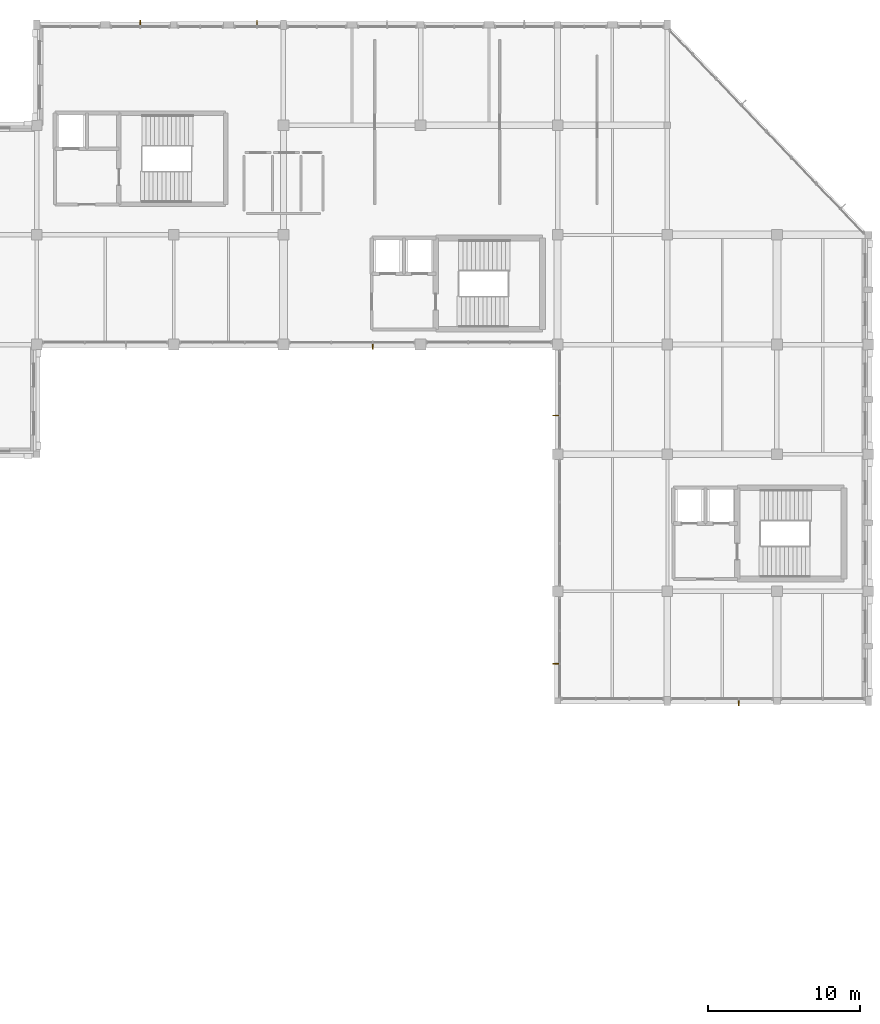
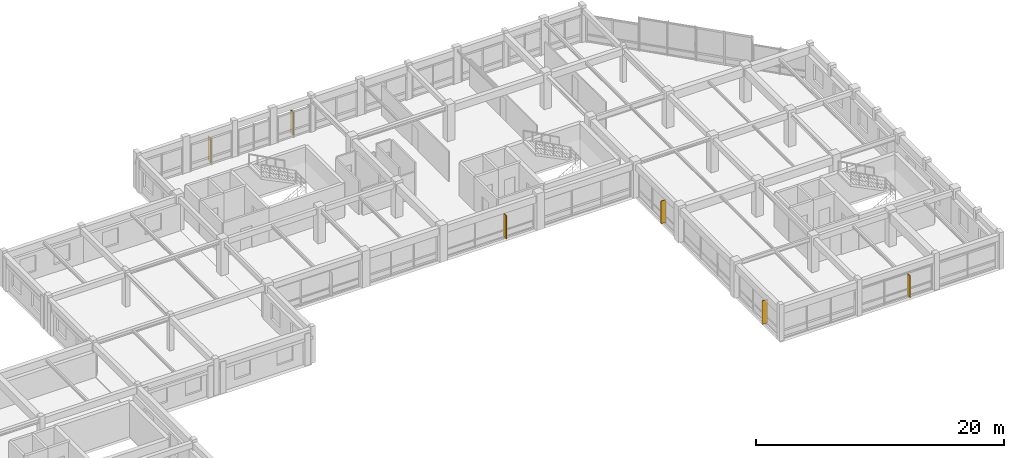
# One storey, part 51 of 52: 6 shading devices.
"""IFC4 building model written with IfcOpenShell, lengths in metres."""

from ifc_helpers import new_model, si_unit, direction, frame, frame_2d, origin, place, context, subcontext, project, spatial, rectangle, extrude, material, layer, layer_set, type_object, element, save


model = new_model("IFC4")

# Units and contexts
model_context = context("Model", 3, precision=1e-05, world=origin(), true_north=direction((0.0, 1.0)))
body_context = subcontext(model_context, "Body", "Model", "MODEL_VIEW")
ifc_project = project(units=[si_unit("LENGTHUNIT", "METRE"), si_unit("AREAUNIT", "SQUARE_METRE"), si_unit("VOLUMEUNIT", "CUBIC_METRE"), si_unit("PLANEANGLEUNIT", "RADIAN"), si_unit("MASSUNIT", "GRAM", prefix="KILO")], contexts=[model_context])

# Site, building, storey
site_placement = place(None, origin())
site = spatial("IfcSite", under=ifc_project, at=site_placement, CompositionType="ELEMENT")
building_placement = place(site_placement, origin())
building = spatial("IfcBuilding", under=site, at=building_placement, Name="Clarverna Civic Hall", CompositionType="ELEMENT")
storey_placement = place(building_placement, frame((0.0, 0.0, 16.800048828125)))
storey = spatial("IfcBuildingStorey", under=building, at=storey_placement, Name="L04", CompositionType="ELEMENT", Elevation=16.800048828125)

# Shading devices
ifc_material = material(Name="Anodised Bronze Architectural Solar Fin", Category="aluminium")
ifc_layer = layer(ifc_material, 0.054931640625)
ifc_layer_set = layer_set([ifc_layer], Name="Anodised Bronze Architectural Solar Fin")
shading_device_type = type_object("IfcShadingDeviceType", Name="SD-FN1", PredefinedType="USERDEFINED", material=ifc_layer_set)
shading_device_1_placement = place(storey_placement, frame((120.199951171875, 115.830078125, 0.14990234375), z_axis=(0.0, 0.0, 1.0), x_axis=(0.0, 1.0, 0.0)))
element("IfcShadingDevice", 1, at=shading_device_1_placement, inside=storey, type_object=shading_device_type, Name="SD-FN1-049", ObjectType="FIN", PredefinedType="USERDEFINED", context=body_context, shape_type="SweptSolid", body=[
    extrude(rectangle(XDim=0.47998046875, YDim=0.054931640625, at=frame_2d((0.239990234375, 0.0))), origin(), (0.0, 0.0, 1.0), 2.400146484375),
])
shading_device_2_placement = place(storey_placement, frame((127.862548828125, 115.830078125, 0.14990234375), z_axis=(0.0, 0.0, 1.0), x_axis=(0.0, 1.0, 0.0)))
element("IfcShadingDevice", 2, at=shading_device_2_placement, inside=storey, type_object=shading_device_type, Name="SD-FN1-050", ObjectType="FIN", PredefinedType="USERDEFINED", context=body_context, shape_type="SweptSolid", body=[
    extrude(rectangle(XDim=0.47998046875, YDim=0.054931640625, at=frame_2d((0.239990234375, 0.0))), origin(), (0.0, 0.0, 1.0), 2.300048828125),
])
shading_device_3_placement = place(storey_placement, frame((159.4921875, 71.77001953125, 0.14990234375), z_axis=(0.0, 0.0, 1.0), x_axis=(0.0, -1.0, 0.0)))
element("IfcShadingDevice", 3, at=shading_device_3_placement, inside=storey, type_object=shading_device_type, Name="SD-FN1-056", ObjectType="FIN", PredefinedType="USERDEFINED", context=body_context, shape_type="SweptSolid", body=[
    extrude(rectangle(XDim=0.47998046875, YDim=0.054931640625, at=frame_2d((0.239990234375, 0.0))), origin(), (0.0, 0.0, 1.0), 2.1201171875),
])
shading_device_4_placement = place(storey_placement, frame((147.77001953125, 74.041015625, 0.14990234375), z_axis=(0.0, 0.0, 1.0), x_axis=(-1.0, 0.0, 0.0)))
element("IfcShadingDevice", 4, at=shading_device_4_placement, inside=storey, type_object=shading_device_type, Name="SD-FN1-057", ObjectType="FIN", PredefinedType="USERDEFINED", context=body_context, shape_type="SweptSolid", body=[
    extrude(rectangle(XDim=0.47998046875, YDim=0.054931640625, at=frame_2d((0.239990234375, 0.0))), origin(), (0.0, 0.0, 1.0), 2.300048828125),
])
shading_device_5_placement = place(storey_placement, frame((147.77001953125, 90.341064453125, 0.14990234375), z_axis=(0.0, 0.0, 1.0), x_axis=(-1.0, 0.0, 0.0)))
element("IfcShadingDevice", 5, at=shading_device_5_placement, inside=storey, type_object=shading_device_type, Name="SD-FN1-058", ObjectType="FIN", PredefinedType="USERDEFINED", context=body_context, shape_type="SweptSolid", body=[
    extrude(rectangle(XDim=0.47998046875, YDim=0.054931640625, at=frame_2d((0.239990234375, 0.0))), origin(), (0.0, 0.0, 1.0), 2.219970703125),
])
shading_device_6_placement = place(storey_placement, frame((135.458984375, 95.169921875, 0.14990234375), z_axis=(0.0, 0.0, 1.0), x_axis=(0.0, -1.0, 0.0)))
element("IfcShadingDevice", 6, at=shading_device_6_placement, inside=storey, type_object=shading_device_type, Name="SD-FN1-059", ObjectType="FIN", PredefinedType="USERDEFINED", context=body_context, shape_type="SweptSolid", body=[
    extrude(rectangle(XDim=0.47998046875, YDim=0.054931640625, at=frame_2d((0.239990234375, 0.0))), origin(), (0.0, 0.0, 1.0), 2.27001953125),
])

save(model, "model.ifc")
